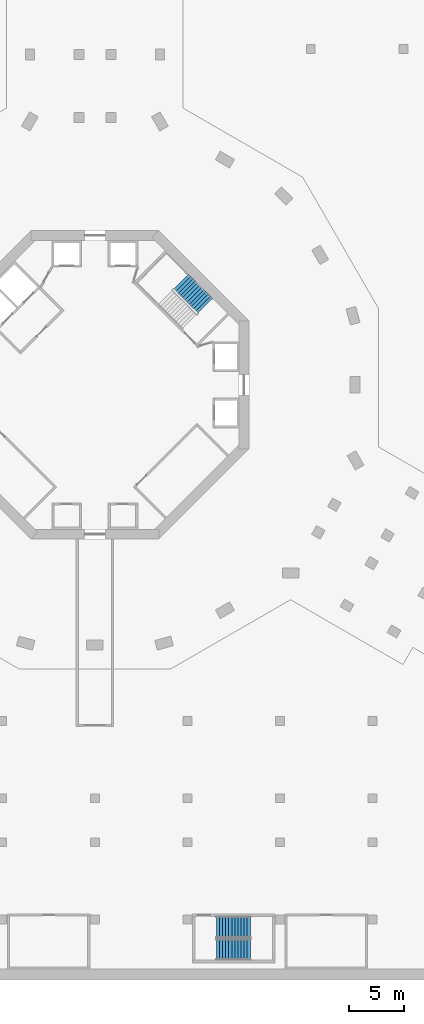
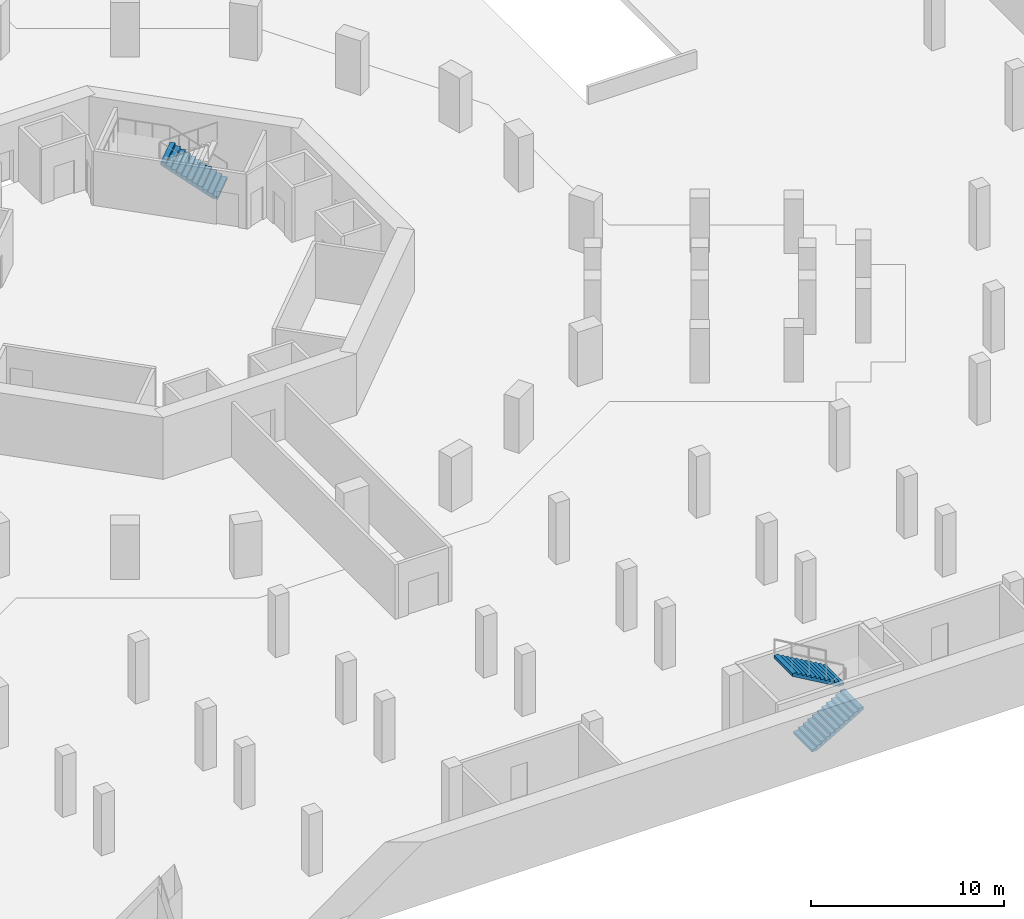
# One storey, part 14 of 25: 3 stair flights, 2 elements without a shape of their own.
"""IFC4 building model written with IfcOpenShell, lengths in metres."""

from ifc_helpers import new_model, si_unit, direction, frame, origin, place, context, subcontext, project, spatial, triangles, material, type_object, element, aggregate, save


model = new_model("IFC4")

# Units and contexts
model_context = context("Model", 3, precision=1e-05, world=origin(), true_north=direction((0.0, 1.0)))
body_context = subcontext(model_context, "Body", "Model", "MODEL_VIEW")
ifc_project = project(units=[si_unit("LENGTHUNIT", "METRE"), si_unit("AREAUNIT", "SQUARE_METRE"), si_unit("VOLUMEUNIT", "CUBIC_METRE"), si_unit("PLANEANGLEUNIT", "RADIAN"), si_unit("MASSUNIT", "GRAM", prefix="KILO")], contexts=[model_context])

# Site, building, storey
site_placement = place(None, origin())
site = spatial("IfcSite", under=ifc_project, at=site_placement, CompositionType="ELEMENT")
building_placement = place(site_placement, origin())
building = spatial("IfcBuilding", under=site, at=building_placement, Name="Verdalira Terraces Hotel", CompositionType="ELEMENT")
storey_placement = place(building_placement, frame((0.0, 0.0, -7.800049)))
storey = spatial("IfcBuildingStorey", under=building, at=storey_placement, Name="B2", CompositionType="ELEMENT", Elevation=-7.800048828125)

# Stair, stair flights
ifc_material_1 = material(Name="Concrete C40", Category="concrete")
stair_type_1 = type_object("IfcStairType", Name="Car park stair 24 risers", PredefinedType="HALF_TURN_STAIR", material=ifc_material_1)
stair_1_placement = place(storey_placement, origin())
stair_1 = element("IfcStair", 1, at=stair_1_placement, inside=storey, type_object=stair_type_1, Name="B2 Exit stair Basement stair 6", PredefinedType="HALF_TURN_STAIR")
ifc_material_2 = material(Name="Concrete C40", Category="concrete")
stair_flight_type_1 = type_object("IfcStairFlightType", Name="Car park stair flight 24 risers", PredefinedType="STRAIGHT", material=ifc_material_2)
stair_flight_1_placement = place(storey_placement, frame((11.024902, -51.237549, 0.0), z_axis=(0.0, 0.0, 1.0), x_axis=(1.0, 0.0, 0.0)))
stair_flight_1 = element("IfcStairFlight", 2, at=stair_flight_1_placement, type_object=stair_flight_type_1, Name="Basement stair 6 flight 1", NumberOfRisers=12, NumberOfTreads=11, PredefinedType="STRAIGHT", RiserHeight=0.1625, TreadLength=0.28, context=body_context, shape_type="Tessellation", body=[
    triangles([(0.0, 0.962524, 0.0), (0.298584, 0.962524, 0.0), (3.080078, 0.962524, 1.614258), (0.0, -0.962524, 0.0), (0.298584, -0.962524, 0.0), (3.080078, -0.962524, 1.614258), (3.080078, 0.962524, 1.787598), (2.800049, 0.962524, 1.787598), (3.080078, -0.962524, 1.787598), (2.800049, -0.962524, 1.787598), (2.800049, 0.962524, 1.625), (2.800049, -0.962524, 1.625), (2.52002, 0.962524, 1.625), (2.52002, -0.962524, 1.625), (2.52002, 0.962524, 1.462402), (2.52002, -0.962524, 1.462402), (2.23999, 0.962524, 1.462402), (2.23999, 0.962524, 1.300049), (2.23999, -0.962524, 1.462402), (2.23999, -0.962524, 1.300049), (1.959961, 0.962524, 1.300049), (1.959961, 0.962524, 1.137451), (1.959961, -0.962524, 1.300049), (1.959961, -0.962524, 1.137451), (1.679932, 0.962524, 1.137451), (1.679932, 0.962524, 0.975098), (1.679932, -0.962524, 1.137451), (1.679932, -0.962524, 0.975098), (1.399902, 0.962524, 0.975098), (1.399902, 0.962524, 0.8125), (1.399902, -0.962524, 0.975098), (1.399902, -0.962524, 0.8125), (1.120117, 0.962524, 0.8125), (1.120117, 0.962524, 0.649902), (1.120117, -0.962524, 0.8125), (1.120117, -0.962524, 0.649902), (0.840088, 0.962524, 0.649902), (0.840088, 0.962524, 0.487549), (0.840088, -0.962524, 0.649902), (0.840088, -0.962524, 0.487549), (0.560059, 0.962524, 0.487549), (0.560059, 0.962524, 0.324951), (0.560059, -0.962524, 0.487549), (0.560059, -0.962524, 0.324951), (0.280029, 0.962524, 0.324951), (0.280029, 0.962524, 0.162598), (0.280029, -0.962524, 0.324951), (0.280029, -0.962524, 0.162598), (0.0, 0.962524, 0.162598), (0.0, -0.962524, 0.162598), (0.0, -0.902367, 0.0), (0.0, -0.902367, 0.162598), (0.0, -0.842209, 0.0), (0.0, -0.842209, 0.162598), (0.0, -0.782051, 0.0), (0.0, -0.782051, 0.162598), (0.0, -0.721893, 0.0), (0.0, -0.721893, 0.162598), (0.0, -0.661736, 0.0), (0.0, -0.661736, 0.162598), (0.0, -0.601578, 0.0), (0.0, -0.601578, 0.162598), (0.0, -0.54142, 0.0), (0.0, -0.54142, 0.162598), (0.0, -0.481262, 0.0), (0.0, -0.481262, 0.162598), (0.0, -0.421104, 0.0), (0.0, -0.421104, 0.162598), (0.0, -0.360947, 0.0), (0.0, -0.360947, 0.162598), (0.0, -0.300789, 0.0), (0.0, -0.300789, 0.162598), (0.0, -0.240631, 0.0), (0.0, -0.240631, 0.162598), (0.0, -0.180473, 0.0), (0.0, -0.180473, 0.162598), (0.0, -0.120316, 0.0), (0.0, -0.120316, 0.162598), (0.0, -0.060158, 0.0), (0.0, -0.060158, 0.162598), (0.0, 0.0, 0.0), (0.0, 0.0, 0.162598), (0.0, 0.060158, 0.0), (0.0, 0.060158, 0.162598), (0.0, 0.120316, 0.0), (0.0, 0.120316, 0.162598), (0.0, 0.180473, 0.0), (0.0, 0.180473, 0.162598), (0.0, 0.240631, 0.0), (0.0, 0.240631, 0.162598), (0.0, 0.300789, 0.0), (0.0, 0.300789, 0.162598), (0.0, 0.360947, 0.0), (0.0, 0.360947, 0.162598), (0.0, 0.421104, 0.0), (0.0, 0.421104, 0.162598), (0.0, 0.481262, 0.0), (0.0, 0.481262, 0.162598), (0.0, 0.54142, 0.0), (0.0, 0.54142, 0.162598), (0.0, 0.601578, 0.0), (0.0, 0.601578, 0.162598), (0.0, 0.661736, 0.0), (0.0, 0.661736, 0.162598), (0.0, 0.721893, 0.0), (0.0, 0.721893, 0.162598), (0.0, 0.782051, 0.0), (0.0, 0.782051, 0.162598), (0.0, 0.842209, 0.0), (0.0, 0.842209, 0.162598), (0.0, 0.902367, 0.0), (0.0, 0.902367, 0.162598), (3.080078, -0.902367, 1.787598), (3.080078, -0.842209, 1.787598), (3.080078, -0.782051, 1.787598), (3.080078, -0.721893, 1.787598), (3.080078, -0.661736, 1.787598), (3.080078, -0.601578, 1.787598), (3.080078, -0.54142, 1.787598), (3.080078, -0.481262, 1.787598), (3.080078, -0.421104, 1.787598), (3.080078, -0.360947, 1.787598), (3.080078, -0.300789, 1.787598), (3.080078, -0.240631, 1.787598), (3.080078, -0.180473, 1.787598), (3.080078, -0.120316, 1.787598), (3.080078, -0.060158, 1.787598), (3.080078, 0.0, 1.787598), (3.080078, 0.060158, 1.787598), (3.080078, 0.120316, 1.787598), (3.080078, 0.180473, 1.787598), (3.080078, 0.240631, 1.787598), (3.080078, 0.300789, 1.787598), (3.080078, 0.360947, 1.787598), (3.080078, 0.421104, 1.787598), (3.080078, 0.481262, 1.787598), (3.080078, 0.54142, 1.787598), (3.080078, 0.601578, 1.787598), (3.080078, 0.661736, 1.787598), (3.080078, 0.721893, 1.787598), (3.080078, 0.782051, 1.787598), (3.080078, 0.842209, 1.787598), (3.080078, 0.902367, 1.787598), (3.080078, -0.902367, 1.614258), (3.080078, -0.842209, 1.614258), (3.080078, -0.782051, 1.614258), (3.080078, -0.721893, 1.614258), (3.080078, -0.661736, 1.614258), (3.080078, -0.601578, 1.614258), (3.080078, -0.54142, 1.614258), (3.080078, -0.481262, 1.614258), (3.080078, -0.421104, 1.614258), (3.080078, -0.360947, 1.614258), (3.080078, -0.300789, 1.614258), (3.080078, -0.240631, 1.614258), (3.080078, -0.180473, 1.614258), (3.080078, -0.120316, 1.614258), (3.080078, -0.060158, 1.614258), (3.080078, 0.0, 1.614258), (3.080078, 0.060158, 1.614258), (3.080078, 0.120316, 1.614258), (3.080078, 0.180473, 1.614258), (3.080078, 0.240631, 1.614258), (3.080078, 0.300789, 1.614258), (3.080078, 0.360947, 1.614258), (3.080078, 0.421104, 1.614258), (3.080078, 0.481262, 1.614258), (3.080078, 0.54142, 1.614258), (3.080078, 0.601578, 1.614258), (3.080078, 0.661736, 1.614258), (3.080078, 0.721893, 1.614258), (3.080078, 0.782051, 1.614258), (3.080078, 0.842209, 1.614258), (3.080078, 0.902367, 1.614258)], [[1, 3, 2], [4, 5, 6], [3, 8, 7], [6, 9, 10], [3, 11, 8], [6, 10, 12], [3, 13, 11], [6, 12, 14], [3, 15, 13], [6, 14, 16], [15, 18, 17], [16, 19, 20], [3, 18, 15], [6, 16, 20], [18, 22, 21], [20, 23, 24], [3, 22, 18], [6, 20, 24], [22, 26, 25], [24, 27, 28], [3, 26, 22], [6, 24, 28], [26, 30, 29], [28, 31, 32], [3, 30, 26], [6, 28, 32], [30, 34, 33], [32, 35, 36], [3, 34, 30], [6, 32, 36], [34, 38, 37], [36, 39, 40], [3, 38, 34], [6, 36, 40], [38, 42, 41], [40, 43, 44], [3, 42, 38], [6, 40, 44], [1, 42, 3], [4, 6, 44], [42, 46, 45], [44, 47, 48], [1, 46, 42], [4, 44, 48], [46, 1, 49], [48, 50, 4], [4, 52, 51], [4, 50, 52], [51, 54, 53], [51, 52, 54], [53, 56, 55], [53, 54, 56], [55, 58, 57], [55, 56, 58], [57, 60, 59], [57, 58, 60], [59, 62, 61], [59, 60, 62], [61, 64, 63], [61, 62, 64], [63, 66, 65], [63, 64, 66], [65, 68, 67], [65, 66, 68], [67, 70, 69], [67, 68, 70], [69, 72, 71], [69, 70, 72], [71, 74, 73], [71, 72, 74], [73, 76, 75], [73, 74, 76], [75, 78, 77], [75, 76, 78], [77, 80, 79], [77, 78, 80], [79, 82, 81], [79, 80, 82], [81, 84, 83], [81, 82, 84], [83, 86, 85], [83, 84, 86], [85, 88, 87], [85, 86, 88], [87, 90, 89], [87, 88, 90], [89, 92, 91], [89, 90, 92], [91, 94, 93], [91, 92, 94], [93, 96, 95], [93, 94, 96], [95, 98, 97], [95, 96, 98], [97, 100, 99], [97, 98, 100], [99, 102, 101], [99, 100, 102], [101, 104, 103], [101, 102, 104], [103, 106, 105], [103, 104, 106], [105, 108, 107], [105, 106, 108], [107, 110, 109], [107, 108, 110], [109, 112, 111], [109, 110, 112], [111, 49, 1], [111, 112, 49], [50, 48, 52], [52, 48, 54], [54, 48, 56], [56, 48, 58], [58, 48, 60], [60, 48, 62], [62, 48, 64], [64, 48, 66], [66, 48, 68], [68, 48, 70], [70, 48, 72], [72, 48, 74], [74, 48, 76], [76, 48, 78], [78, 48, 80], [80, 48, 82], [82, 48, 84], [84, 48, 86], [86, 48, 88], [88, 48, 90], [90, 48, 92], [92, 48, 94], [94, 48, 96], [96, 48, 98], [98, 48, 100], [100, 48, 102], [102, 48, 104], [104, 48, 106], [106, 48, 108], [108, 48, 110], [110, 48, 112], [112, 48, 49], [49, 48, 46], [48, 45, 46], [48, 47, 45], [47, 42, 45], [47, 44, 42], [44, 41, 42], [44, 43, 41], [43, 38, 41], [43, 40, 38], [40, 37, 38], [40, 39, 37], [39, 34, 37], [39, 36, 34], [36, 33, 34], [36, 35, 33], [35, 30, 33], [35, 32, 30], [32, 29, 30], [32, 31, 29], [31, 26, 29], [31, 28, 26], [28, 25, 26], [28, 27, 25], [27, 22, 25], [27, 24, 22], [24, 21, 22], [24, 23, 21], [23, 18, 21], [23, 20, 18], [20, 17, 18], [20, 19, 17], [19, 15, 17], [19, 16, 15], [16, 13, 15], [16, 14, 13], [14, 11, 13], [14, 12, 11], [12, 8, 11], [12, 10, 8], [9, 113, 10], [113, 114, 10], [114, 115, 10], [115, 116, 10], [116, 117, 10], [117, 118, 10], [118, 119, 10], [119, 120, 10], [120, 121, 10], [121, 122, 10], [122, 123, 10], [123, 124, 10], [124, 125, 10], [125, 126, 10], [126, 127, 10], [127, 128, 10], [128, 129, 10], [129, 130, 10], [130, 131, 10], [131, 132, 10], [132, 133, 10], [133, 134, 10], [134, 135, 10], [135, 136, 10], [136, 137, 10], [137, 138, 10], [138, 139, 10], [139, 140, 10], [140, 141, 10], [141, 142, 10], [142, 143, 10], [143, 7, 10], [7, 8, 10], [9, 144, 113], [9, 6, 144], [113, 145, 114], [113, 144, 145], [114, 146, 115], [114, 145, 146], [115, 147, 116], [115, 146, 147], [116, 148, 117], [116, 147, 148], [117, 149, 118], [117, 148, 149], [118, 150, 119], [118, 149, 150], [119, 151, 120], [119, 150, 151], [120, 152, 121], [120, 151, 152], [121, 153, 122], [121, 152, 153], [122, 154, 123], [122, 153, 154], [123, 155, 124], [123, 154, 155], [124, 156, 125], [124, 155, 156], [125, 157, 126], [125, 156, 157], [126, 158, 127], [126, 157, 158], [127, 159, 128], [127, 158, 159], [128, 160, 129], [128, 159, 160], [129, 161, 130], [129, 160, 161], [130, 162, 131], [130, 161, 162], [131, 163, 132], [131, 162, 163], [132, 164, 133], [132, 163, 164], [133, 165, 134], [133, 164, 165], [134, 166, 135], [134, 165, 166], [135, 167, 136], [135, 166, 167], [136, 168, 137], [136, 167, 168], [137, 169, 138], [137, 168, 169], [138, 170, 139], [138, 169, 170], [139, 171, 140], [139, 170, 171], [140, 172, 141], [140, 171, 172], [141, 173, 142], [141, 172, 173], [142, 174, 143], [142, 173, 174], [143, 3, 7], [143, 174, 3], [6, 5, 144], [144, 5, 145], [145, 5, 146], [146, 5, 147], [147, 5, 148], [148, 5, 149], [149, 5, 150], [150, 5, 151], [151, 5, 152], [152, 5, 153], [153, 5, 154], [154, 5, 155], [155, 5, 156], [156, 5, 157], [157, 5, 158], [158, 5, 159], [159, 5, 160], [160, 5, 161], [161, 5, 162], [162, 5, 163], [163, 5, 164], [164, 5, 165], [165, 5, 166], [166, 5, 167], [167, 5, 168], [168, 5, 169], [169, 5, 170], [170, 5, 171], [171, 5, 172], [172, 5, 173], [173, 5, 174], [174, 5, 3], [3, 5, 2], [4, 51, 5], [51, 53, 5], [53, 55, 5], [55, 57, 5], [57, 59, 5], [59, 61, 5], [61, 63, 5], [63, 65, 5], [65, 67, 5], [67, 69, 5], [69, 71, 5], [71, 73, 5], [73, 75, 5], [75, 77, 5], [77, 79, 5], [79, 81, 5], [81, 83, 5], [83, 85, 5], [85, 87, 5], [87, 89, 5], [89, 91, 5], [91, 93, 5], [93, 95, 5], [95, 97, 5], [97, 99, 5], [99, 101, 5], [101, 103, 5], [103, 105, 5], [105, 107, 5], [107, 109, 5], [109, 111, 5], [111, 1, 5], [1, 2, 5]], closed=True),
])
stair_flight_2_placement = place(storey_placement, frame((14.10498, -49.212402, 1.949951), z_axis=(0.0, 0.0, 1.0), x_axis=(-1.0, 0.0, 0.0)))
stair_flight_2 = element("IfcStairFlight", 3, at=stair_flight_2_placement, type_object=stair_flight_type_1, Name="Basement stair 6 flight 2", NumberOfRisers=12, NumberOfTreads=11, PredefinedType="STRAIGHT", RiserHeight=0.1625, TreadLength=0.28, context=body_context, shape_type="Tessellation", body=[
    triangles([(0.0, 0.962524, 0.0), (0.298584, 0.962524, 0.0), (3.080078, 0.962524, 1.614258), (0.0, -0.962524, 0.0), (0.298584, -0.962524, 0.0), (3.080078, -0.962524, 1.614258), (3.080078, 0.962524, 1.787598), (2.800049, 0.962524, 1.787598), (3.080078, -0.962524, 1.787598), (2.800049, -0.962524, 1.787598), (2.800049, 0.962524, 1.625), (2.800049, -0.962524, 1.625), (2.52002, 0.962524, 1.625), (2.52002, -0.962524, 1.625), (2.52002, 0.962524, 1.462402), (2.52002, -0.962524, 1.462402), (2.23999, 0.962524, 1.462402), (2.23999, 0.962524, 1.300049), (2.23999, -0.962524, 1.462402), (2.23999, -0.962524, 1.300049), (1.959961, 0.962524, 1.300049), (1.959961, 0.962524, 1.137451), (1.959961, -0.962524, 1.300049), (1.959961, -0.962524, 1.137451), (1.679932, 0.962524, 1.137451), (1.679932, 0.962524, 0.975098), (1.679932, -0.962524, 1.137451), (1.679932, -0.962524, 0.975098), (1.399902, 0.962524, 0.975098), (1.399902, 0.962524, 0.8125), (1.399902, -0.962524, 0.975098), (1.399902, -0.962524, 0.8125), (1.120117, 0.962524, 0.8125), (1.120117, 0.962524, 0.649902), (1.120117, -0.962524, 0.8125), (1.120117, -0.962524, 0.649902), (0.840088, 0.962524, 0.649902), (0.840088, 0.962524, 0.487549), (0.840088, -0.962524, 0.649902), (0.840088, -0.962524, 0.487549), (0.560059, 0.962524, 0.487549), (0.560059, 0.962524, 0.324951), (0.560059, -0.962524, 0.487549), (0.560059, -0.962524, 0.324951), (0.280029, 0.962524, 0.324951), (0.280029, 0.962524, 0.162598), (0.280029, -0.962524, 0.324951), (0.280029, -0.962524, 0.162598), (0.0, 0.962524, 0.162598), (0.0, -0.962524, 0.162598), (0.0, -0.902367, 0.0), (0.0, -0.902367, 0.162598), (0.0, -0.842209, 0.0), (0.0, -0.842209, 0.162598), (0.0, -0.782051, 0.0), (0.0, -0.782051, 0.162598), (0.0, -0.721893, 0.0), (0.0, -0.721893, 0.162598), (0.0, -0.661736, 0.0), (0.0, -0.661736, 0.162598), (0.0, -0.601578, 0.0), (0.0, -0.601578, 0.162598), (0.0, -0.54142, 0.0), (0.0, -0.54142, 0.162598), (0.0, -0.481262, 0.0), (0.0, -0.481262, 0.162598), (0.0, -0.421104, 0.0), (0.0, -0.421104, 0.162598), (0.0, -0.360947, 0.0), (0.0, -0.360947, 0.162598), (0.0, -0.300789, 0.0), (0.0, -0.300789, 0.162598), (0.0, -0.240631, 0.0), (0.0, -0.240631, 0.162598), (0.0, -0.180473, 0.0), (0.0, -0.180473, 0.162598), (0.0, -0.120316, 0.0), (0.0, -0.120316, 0.162598), (0.0, -0.060158, 0.0), (0.0, -0.060158, 0.162598), (0.0, 0.0, 0.0), (0.0, 0.0, 0.162598), (0.0, 0.060158, 0.0), (0.0, 0.060158, 0.162598), (0.0, 0.120316, 0.0), (0.0, 0.120316, 0.162598), (0.0, 0.180473, 0.0), (0.0, 0.180473, 0.162598), (0.0, 0.240631, 0.0), (0.0, 0.240631, 0.162598), (0.0, 0.300789, 0.0), (0.0, 0.300789, 0.162598), (0.0, 0.360947, 0.0), (0.0, 0.360947, 0.162598), (0.0, 0.421104, 0.0), (0.0, 0.421104, 0.162598), (0.0, 0.481262, 0.0), (0.0, 0.481262, 0.162598), (0.0, 0.54142, 0.0), (0.0, 0.54142, 0.162598), (0.0, 0.601578, 0.0), (0.0, 0.601578, 0.162598), (0.0, 0.661736, 0.0), (0.0, 0.661736, 0.162598), (0.0, 0.721893, 0.0), (0.0, 0.721893, 0.162598), (0.0, 0.782051, 0.0), (0.0, 0.782051, 0.162598), (0.0, 0.842209, 0.0), (0.0, 0.842209, 0.162598), (0.0, 0.902367, 0.0), (0.0, 0.902367, 0.162598), (3.080078, -0.902367, 1.787598), (3.080078, -0.842209, 1.787598), (3.080078, -0.782051, 1.787598), (3.080078, -0.721893, 1.787598), (3.080078, -0.661736, 1.787598), (3.080078, -0.601578, 1.787598), (3.080078, -0.54142, 1.787598), (3.080078, -0.481262, 1.787598), (3.080078, -0.421104, 1.787598), (3.080078, -0.360947, 1.787598), (3.080078, -0.300789, 1.787598), (3.080078, -0.240631, 1.787598), (3.080078, -0.180473, 1.787598), (3.080078, -0.120316, 1.787598), (3.080078, -0.060158, 1.787598), (3.080078, 0.0, 1.787598), (3.080078, 0.060158, 1.787598), (3.080078, 0.120316, 1.787598), (3.080078, 0.180473, 1.787598), (3.080078, 0.240631, 1.787598), (3.080078, 0.300789, 1.787598), (3.080078, 0.360947, 1.787598), (3.080078, 0.421104, 1.787598), (3.080078, 0.481262, 1.787598), (3.080078, 0.54142, 1.787598), (3.080078, 0.601578, 1.787598), (3.080078, 0.661736, 1.787598), (3.080078, 0.721893, 1.787598), (3.080078, 0.782051, 1.787598), (3.080078, 0.842209, 1.787598), (3.080078, 0.902367, 1.787598), (3.080078, -0.902367, 1.614258), (3.080078, -0.842209, 1.614258), (3.080078, -0.782051, 1.614258), (3.080078, -0.721893, 1.614258), (3.080078, -0.661736, 1.614258), (3.080078, -0.601578, 1.614258), (3.080078, -0.54142, 1.614258), (3.080078, -0.481262, 1.614258), (3.080078, -0.421104, 1.614258), (3.080078, -0.360947, 1.614258), (3.080078, -0.300789, 1.614258), (3.080078, -0.240631, 1.614258), (3.080078, -0.180473, 1.614258), (3.080078, -0.120316, 1.614258), (3.080078, -0.060158, 1.614258), (3.080078, 0.0, 1.614258), (3.080078, 0.060158, 1.614258), (3.080078, 0.120316, 1.614258), (3.080078, 0.180473, 1.614258), (3.080078, 0.240631, 1.614258), (3.080078, 0.300789, 1.614258), (3.080078, 0.360947, 1.614258), (3.080078, 0.421104, 1.614258), (3.080078, 0.481262, 1.614258), (3.080078, 0.54142, 1.614258), (3.080078, 0.601578, 1.614258), (3.080078, 0.661736, 1.614258), (3.080078, 0.721893, 1.614258), (3.080078, 0.782051, 1.614258), (3.080078, 0.842209, 1.614258), (3.080078, 0.902367, 1.614258)], [[1, 3, 2], [4, 5, 6], [3, 8, 7], [6, 9, 10], [3, 11, 8], [6, 10, 12], [3, 13, 11], [6, 12, 14], [3, 15, 13], [6, 14, 16], [15, 18, 17], [16, 19, 20], [3, 18, 15], [6, 16, 20], [18, 22, 21], [20, 23, 24], [3, 22, 18], [6, 20, 24], [22, 26, 25], [24, 27, 28], [3, 26, 22], [6, 24, 28], [26, 30, 29], [28, 31, 32], [3, 30, 26], [6, 28, 32], [30, 34, 33], [32, 35, 36], [3, 34, 30], [6, 32, 36], [34, 38, 37], [36, 39, 40], [3, 38, 34], [6, 36, 40], [38, 42, 41], [40, 43, 44], [3, 42, 38], [6, 40, 44], [1, 42, 3], [4, 6, 44], [42, 46, 45], [44, 47, 48], [1, 46, 42], [4, 44, 48], [46, 1, 49], [48, 50, 4], [4, 52, 51], [4, 50, 52], [51, 54, 53], [51, 52, 54], [53, 56, 55], [53, 54, 56], [55, 58, 57], [55, 56, 58], [57, 60, 59], [57, 58, 60], [59, 62, 61], [59, 60, 62], [61, 64, 63], [61, 62, 64], [63, 66, 65], [63, 64, 66], [65, 68, 67], [65, 66, 68], [67, 70, 69], [67, 68, 70], [69, 72, 71], [69, 70, 72], [71, 74, 73], [71, 72, 74], [73, 76, 75], [73, 74, 76], [75, 78, 77], [75, 76, 78], [77, 80, 79], [77, 78, 80], [79, 82, 81], [79, 80, 82], [81, 84, 83], [81, 82, 84], [83, 86, 85], [83, 84, 86], [85, 88, 87], [85, 86, 88], [87, 90, 89], [87, 88, 90], [89, 92, 91], [89, 90, 92], [91, 94, 93], [91, 92, 94], [93, 96, 95], [93, 94, 96], [95, 98, 97], [95, 96, 98], [97, 100, 99], [97, 98, 100], [99, 102, 101], [99, 100, 102], [101, 104, 103], [101, 102, 104], [103, 106, 105], [103, 104, 106], [105, 108, 107], [105, 106, 108], [107, 110, 109], [107, 108, 110], [109, 112, 111], [109, 110, 112], [111, 49, 1], [111, 112, 49], [50, 48, 52], [52, 48, 54], [54, 48, 56], [56, 48, 58], [58, 48, 60], [60, 48, 62], [62, 48, 64], [64, 48, 66], [66, 48, 68], [68, 48, 70], [70, 48, 72], [72, 48, 74], [74, 48, 76], [76, 48, 78], [78, 48, 80], [80, 48, 82], [82, 48, 84], [84, 48, 86], [86, 48, 88], [88, 48, 90], [90, 48, 92], [92, 48, 94], [94, 48, 96], [96, 48, 98], [98, 48, 100], [100, 48, 102], [102, 48, 104], [104, 48, 106], [106, 48, 108], [108, 48, 110], [110, 48, 112], [112, 48, 49], [49, 48, 46], [48, 45, 46], [48, 47, 45], [47, 42, 45], [47, 44, 42], [44, 41, 42], [44, 43, 41], [43, 38, 41], [43, 40, 38], [40, 37, 38], [40, 39, 37], [39, 34, 37], [39, 36, 34], [36, 33, 34], [36, 35, 33], [35, 30, 33], [35, 32, 30], [32, 29, 30], [32, 31, 29], [31, 26, 29], [31, 28, 26], [28, 25, 26], [28, 27, 25], [27, 22, 25], [27, 24, 22], [24, 21, 22], [24, 23, 21], [23, 18, 21], [23, 20, 18], [20, 17, 18], [20, 19, 17], [19, 15, 17], [19, 16, 15], [16, 13, 15], [16, 14, 13], [14, 11, 13], [14, 12, 11], [12, 8, 11], [12, 10, 8], [9, 113, 10], [113, 114, 10], [114, 115, 10], [115, 116, 10], [116, 117, 10], [117, 118, 10], [118, 119, 10], [119, 120, 10], [120, 121, 10], [121, 122, 10], [122, 123, 10], [123, 124, 10], [124, 125, 10], [125, 126, 10], [126, 127, 10], [127, 128, 10], [128, 129, 10], [129, 130, 10], [130, 131, 10], [131, 132, 10], [132, 133, 10], [133, 134, 10], [134, 135, 10], [135, 136, 10], [136, 137, 10], [137, 138, 10], [138, 139, 10], [139, 140, 10], [140, 141, 10], [141, 142, 10], [142, 143, 10], [143, 7, 10], [7, 8, 10], [9, 144, 113], [9, 6, 144], [113, 145, 114], [113, 144, 145], [114, 146, 115], [114, 145, 146], [115, 147, 116], [115, 146, 147], [116, 148, 117], [116, 147, 148], [117, 149, 118], [117, 148, 149], [118, 150, 119], [118, 149, 150], [119, 151, 120], [119, 150, 151], [120, 152, 121], [120, 151, 152], [121, 153, 122], [121, 152, 153], [122, 154, 123], [122, 153, 154], [123, 155, 124], [123, 154, 155], [124, 156, 125], [124, 155, 156], [125, 157, 126], [125, 156, 157], [126, 158, 127], [126, 157, 158], [127, 159, 128], [127, 158, 159], [128, 160, 129], [128, 159, 160], [129, 161, 130], [129, 160, 161], [130, 162, 131], [130, 161, 162], [131, 163, 132], [131, 162, 163], [132, 164, 133], [132, 163, 164], [133, 165, 134], [133, 164, 165], [134, 166, 135], [134, 165, 166], [135, 167, 136], [135, 166, 167], [136, 168, 137], [136, 167, 168], [137, 169, 138], [137, 168, 169], [138, 170, 139], [138, 169, 170], [139, 171, 140], [139, 170, 171], [140, 172, 141], [140, 171, 172], [141, 173, 142], [141, 172, 173], [142, 174, 143], [142, 173, 174], [143, 3, 7], [143, 174, 3], [6, 5, 144], [144, 5, 145], [145, 5, 146], [146, 5, 147], [147, 5, 148], [148, 5, 149], [149, 5, 150], [150, 5, 151], [151, 5, 152], [152, 5, 153], [153, 5, 154], [154, 5, 155], [155, 5, 156], [156, 5, 157], [157, 5, 158], [158, 5, 159], [159, 5, 160], [160, 5, 161], [161, 5, 162], [162, 5, 163], [163, 5, 164], [164, 5, 165], [165, 5, 166], [166, 5, 167], [167, 5, 168], [168, 5, 169], [169, 5, 170], [170, 5, 171], [171, 5, 172], [172, 5, 173], [173, 5, 174], [174, 5, 3], [3, 5, 2], [4, 51, 5], [51, 53, 5], [53, 55, 5], [55, 57, 5], [57, 59, 5], [59, 61, 5], [61, 63, 5], [63, 65, 5], [65, 67, 5], [67, 69, 5], [69, 71, 5], [71, 73, 5], [73, 75, 5], [75, 77, 5], [77, 79, 5], [79, 81, 5], [81, 83, 5], [83, 85, 5], [85, 87, 5], [87, 89, 5], [89, 91, 5], [91, 93, 5], [93, 95, 5], [95, 97, 5], [97, 99, 5], [99, 101, 5], [101, 103, 5], [103, 105, 5], [105, 107, 5], [107, 109, 5], [109, 111, 5], [111, 1, 5], [1, 2, 5]], closed=True),
])
aggregate(stair_1, [stair_flight_1, stair_flight_2])

# Stair, stair flight
ifc_material_3 = material(Name="Concrete C40", Category="concrete")
stair_type_2 = type_object("IfcStairType", Name="Core stair 24 risers 1900 mm wide", PredefinedType="HALF_TURN_STAIR", material=ifc_material_3)
stair_2_placement = place(storey_placement, origin())
stair_2 = element("IfcStair", 4, at=stair_2_placement, inside=storey, type_object=stair_type_2, Name="B2 Exit stair ST1", PredefinedType="HALF_TURN_STAIR")
ifc_material_4 = material(Name="Concrete C40", Category="concrete")
stair_flight_type_2 = type_object("IfcStairFlightType", Name="Core stair flight 24 risers 1900 mm wide", PredefinedType="STRAIGHT", material=ifc_material_4)
stair_flight_3_placement = place(storey_placement, frame((10.005615, 7.177246, 0.0), z_axis=(0.0, 0.0, 1.0), x_axis=(-0.707106781, 0.707106781, 0.0)))
stair_flight_3 = element("IfcStairFlight", 5, at=stair_flight_3_placement, type_object=stair_flight_type_2, Name="ST1 flight 1", NumberOfRisers=12, NumberOfTreads=11, PredefinedType="STRAIGHT", RiserHeight=0.1625, TreadLength=0.28, context=body_context, shape_type="Tessellation", body=[
    triangles([(0.0, 0.949951, 0.0), (0.298584, 0.949951, 0.0), (3.080078, 0.949951, 1.614258), (0.0, -0.949951, 0.0), (0.298584, -0.949951, 0.0), (3.080078, -0.949951, 1.614258), (3.080078, 0.949951, 1.787598), (2.800049, 0.949951, 1.787598), (3.080078, -0.949951, 1.787598), (2.800049, -0.949951, 1.787598), (2.800049, 0.949951, 1.625), (2.800049, -0.949951, 1.625), (2.52002, 0.949951, 1.625), (2.52002, -0.949951, 1.625), (2.52002, 0.949951, 1.462402), (2.52002, -0.949951, 1.462402), (2.23999, 0.949951, 1.462402), (2.23999, 0.949951, 1.300049), (2.23999, -0.949951, 1.462402), (2.23999, -0.949951, 1.300049), (1.959961, 0.949951, 1.300049), (1.959961, 0.949951, 1.137451), (1.959961, -0.949951, 1.300049), (1.959961, -0.949951, 1.137451), (1.679932, 0.949951, 1.137451), (1.679932, 0.949951, 0.975098), (1.679932, -0.949951, 1.137451), (1.679932, -0.949951, 0.975098), (1.399902, 0.949951, 0.975098), (1.399902, 0.949951, 0.8125), (1.399902, -0.949951, 0.975098), (1.399902, -0.949951, 0.8125), (1.120117, 0.949951, 0.8125), (1.120117, 0.949951, 0.649902), (1.120117, -0.949951, 0.8125), (1.120117, -0.949951, 0.649902), (0.840088, 0.949951, 0.649902), (0.840088, 0.949951, 0.487549), (0.840088, -0.949951, 0.649902), (0.840088, -0.949951, 0.487549), (0.560059, 0.949951, 0.487549), (0.560059, 0.949951, 0.324951), (0.560059, -0.949951, 0.487549), (0.560059, -0.949951, 0.324951), (0.280029, 0.949951, 0.324951), (0.280029, 0.949951, 0.162598), (0.280029, -0.949951, 0.324951), (0.280029, -0.949951, 0.162598), (0.0, 0.949951, 0.162598), (0.0, -0.949951, 0.162598), (0.0, -0.890579, 0.0), (0.0, -0.890579, 0.162598), (0.0, -0.831207, 0.0), (0.0, -0.831207, 0.162598), (0.0, -0.771835, 0.0), (0.0, -0.771835, 0.162598), (0.0, -0.712463, 0.0), (0.0, -0.712463, 0.162598), (0.0, -0.653091, 0.0), (0.0, -0.653091, 0.162598), (0.0, -0.593719, 0.0), (0.0, -0.593719, 0.162598), (0.0, -0.534348, 0.0), (0.0, -0.534348, 0.162598), (0.0, -0.474976, 0.0), (0.0, -0.474976, 0.162598), (0.0, -0.415604, 0.0), (0.0, -0.415604, 0.162598), (0.0, -0.356232, 0.0), (0.0, -0.356232, 0.162598), (0.0, -0.29686, 0.0), (0.0, -0.29686, 0.162598), (0.0, -0.237488, 0.0), (0.0, -0.237488, 0.162598), (0.0, -0.178116, 0.0), (0.0, -0.178116, 0.162598), (0.0, -0.118744, 0.0), (0.0, -0.118744, 0.162598), (0.0, -0.059372, 0.0), (0.0, -0.059372, 0.162598), (0.0, 0.0, 0.0), (0.0, 0.0, 0.162598), (0.0, 0.059372, 0.0), (0.0, 0.059372, 0.162598), (0.0, 0.118744, 0.0), (0.0, 0.118744, 0.162598), (0.0, 0.178116, 0.0), (0.0, 0.178116, 0.162598), (0.0, 0.237488, 0.0), (0.0, 0.237488, 0.162598), (0.0, 0.29686, 0.0), (0.0, 0.29686, 0.162598), (0.0, 0.356232, 0.0), (0.0, 0.356232, 0.162598), (0.0, 0.415604, 0.0), (0.0, 0.415604, 0.162598), (0.0, 0.474976, 0.0), (0.0, 0.474976, 0.162598), (0.0, 0.534348, 0.0), (0.0, 0.534348, 0.162598), (0.0, 0.593719, 0.0), (0.0, 0.593719, 0.162598), (0.0, 0.653091, 0.0), (0.0, 0.653091, 0.162598), (0.0, 0.712463, 0.0), (0.0, 0.712463, 0.162598), (0.0, 0.771835, 0.0), (0.0, 0.771835, 0.162598), (0.0, 0.831207, 0.0), (0.0, 0.831207, 0.162598), (0.0, 0.890579, 0.0), (0.0, 0.890579, 0.162598), (3.080078, -0.890579, 1.787598), (3.080078, -0.831207, 1.787598), (3.080078, -0.771835, 1.787598), (3.080078, -0.712463, 1.787598), (3.080078, -0.653091, 1.787598), (3.080078, -0.593719, 1.787598), (3.080078, -0.534348, 1.787598), (3.080078, -0.474976, 1.787598), (3.080078, -0.415604, 1.787598), (3.080078, -0.356232, 1.787598), (3.080078, -0.29686, 1.787598), (3.080078, -0.237488, 1.787598), (3.080078, -0.178116, 1.787598), (3.080078, -0.118744, 1.787598), (3.080078, -0.059372, 1.787598), (3.080078, 0.0, 1.787598), (3.080078, 0.059372, 1.787598), (3.080078, 0.118744, 1.787598), (3.080078, 0.178116, 1.787598), (3.080078, 0.237488, 1.787598), (3.080078, 0.29686, 1.787598), (3.080078, 0.356232, 1.787598), (3.080078, 0.415604, 1.787598), (3.080078, 0.474976, 1.787598), (3.080078, 0.534348, 1.787598), (3.080078, 0.593719, 1.787598), (3.080078, 0.653091, 1.787598), (3.080078, 0.712463, 1.787598), (3.080078, 0.771835, 1.787598), (3.080078, 0.831207, 1.787598), (3.080078, 0.890579, 1.787598), (3.080078, -0.890579, 1.614258), (3.080078, -0.831207, 1.614258), (3.080078, -0.771835, 1.614258), (3.080078, -0.712463, 1.614258), (3.080078, -0.653091, 1.614258), (3.080078, -0.593719, 1.614258), (3.080078, -0.534348, 1.614258), (3.080078, -0.474976, 1.614258), (3.080078, -0.415604, 1.614258), (3.080078, -0.356232, 1.614258), (3.080078, -0.29686, 1.614258), (3.080078, -0.237488, 1.614258), (3.080078, -0.178116, 1.614258), (3.080078, -0.118744, 1.614258), (3.080078, -0.059372, 1.614258), (3.080078, 0.0, 1.614258), (3.080078, 0.059372, 1.614258), (3.080078, 0.118744, 1.614258), (3.080078, 0.178116, 1.614258), (3.080078, 0.237488, 1.614258), (3.080078, 0.29686, 1.614258), (3.080078, 0.356232, 1.614258), (3.080078, 0.415604, 1.614258), (3.080078, 0.474976, 1.614258), (3.080078, 0.534348, 1.614258), (3.080078, 0.593719, 1.614258), (3.080078, 0.653091, 1.614258), (3.080078, 0.712463, 1.614258), (3.080078, 0.771835, 1.614258), (3.080078, 0.831207, 1.614258), (3.080078, 0.890579, 1.614258)], [[1, 3, 2], [4, 5, 6], [3, 8, 7], [6, 9, 10], [3, 11, 8], [6, 10, 12], [3, 13, 11], [6, 12, 14], [3, 15, 13], [6, 14, 16], [15, 18, 17], [16, 19, 20], [3, 18, 15], [6, 16, 20], [18, 22, 21], [20, 23, 24], [3, 22, 18], [6, 20, 24], [22, 26, 25], [24, 27, 28], [3, 26, 22], [6, 24, 28], [26, 30, 29], [28, 31, 32], [3, 30, 26], [6, 28, 32], [30, 34, 33], [32, 35, 36], [3, 34, 30], [6, 32, 36], [34, 38, 37], [36, 39, 40], [3, 38, 34], [6, 36, 40], [38, 42, 41], [40, 43, 44], [3, 42, 38], [6, 40, 44], [1, 42, 3], [4, 6, 44], [42, 46, 45], [44, 47, 48], [1, 46, 42], [4, 44, 48], [46, 1, 49], [48, 50, 4], [4, 52, 51], [4, 50, 52], [51, 54, 53], [51, 52, 54], [53, 56, 55], [53, 54, 56], [55, 58, 57], [55, 56, 58], [57, 60, 59], [57, 58, 60], [59, 62, 61], [59, 60, 62], [61, 64, 63], [61, 62, 64], [63, 66, 65], [63, 64, 66], [65, 68, 67], [65, 66, 68], [67, 70, 69], [67, 68, 70], [69, 72, 71], [69, 70, 72], [71, 74, 73], [71, 72, 74], [73, 76, 75], [73, 74, 76], [75, 78, 77], [75, 76, 78], [77, 80, 79], [77, 78, 80], [79, 82, 81], [79, 80, 82], [81, 84, 83], [81, 82, 84], [83, 86, 85], [83, 84, 86], [85, 88, 87], [85, 86, 88], [87, 90, 89], [87, 88, 90], [89, 92, 91], [89, 90, 92], [91, 94, 93], [91, 92, 94], [93, 96, 95], [93, 94, 96], [95, 98, 97], [95, 96, 98], [97, 100, 99], [97, 98, 100], [99, 102, 101], [99, 100, 102], [101, 104, 103], [101, 102, 104], [103, 106, 105], [103, 104, 106], [105, 108, 107], [105, 106, 108], [107, 110, 109], [107, 108, 110], [109, 112, 111], [109, 110, 112], [111, 49, 1], [111, 112, 49], [50, 48, 52], [52, 48, 54], [54, 48, 56], [56, 48, 58], [58, 48, 60], [60, 48, 62], [62, 48, 64], [64, 48, 66], [66, 48, 68], [68, 48, 70], [70, 48, 72], [72, 48, 74], [74, 48, 76], [76, 48, 78], [78, 48, 80], [80, 48, 82], [82, 48, 84], [84, 48, 86], [86, 48, 88], [88, 48, 90], [90, 48, 92], [92, 48, 94], [94, 48, 96], [96, 48, 98], [98, 48, 100], [100, 48, 102], [102, 48, 104], [104, 48, 106], [106, 48, 108], [108, 48, 110], [110, 48, 112], [112, 48, 49], [49, 48, 46], [48, 45, 46], [48, 47, 45], [47, 42, 45], [47, 44, 42], [44, 41, 42], [44, 43, 41], [43, 38, 41], [43, 40, 38], [40, 37, 38], [40, 39, 37], [39, 34, 37], [39, 36, 34], [36, 33, 34], [36, 35, 33], [35, 30, 33], [35, 32, 30], [32, 29, 30], [32, 31, 29], [31, 26, 29], [31, 28, 26], [28, 25, 26], [28, 27, 25], [27, 22, 25], [27, 24, 22], [24, 21, 22], [24, 23, 21], [23, 18, 21], [23, 20, 18], [20, 17, 18], [20, 19, 17], [19, 15, 17], [19, 16, 15], [16, 13, 15], [16, 14, 13], [14, 11, 13], [14, 12, 11], [12, 8, 11], [12, 10, 8], [9, 113, 10], [113, 114, 10], [114, 115, 10], [115, 116, 10], [116, 117, 10], [117, 118, 10], [118, 119, 10], [119, 120, 10], [120, 121, 10], [121, 122, 10], [122, 123, 10], [123, 124, 10], [124, 125, 10], [125, 126, 10], [126, 127, 10], [127, 128, 10], [128, 129, 10], [129, 130, 10], [130, 131, 10], [131, 132, 10], [132, 133, 10], [133, 134, 10], [134, 135, 10], [135, 136, 10], [136, 137, 10], [137, 138, 10], [138, 139, 10], [139, 140, 10], [140, 141, 10], [141, 142, 10], [142, 143, 10], [143, 7, 10], [7, 8, 10], [9, 144, 113], [9, 6, 144], [113, 145, 114], [113, 144, 145], [114, 146, 115], [114, 145, 146], [115, 147, 116], [115, 146, 147], [116, 148, 117], [116, 147, 148], [117, 149, 118], [117, 148, 149], [118, 150, 119], [118, 149, 150], [119, 151, 120], [119, 150, 151], [120, 152, 121], [120, 151, 152], [121, 153, 122], [121, 152, 153], [122, 154, 123], [122, 153, 154], [123, 155, 124], [123, 154, 155], [124, 156, 125], [124, 155, 156], [125, 157, 126], [125, 156, 157], [126, 158, 127], [126, 157, 158], [127, 159, 128], [127, 158, 159], [128, 160, 129], [128, 159, 160], [129, 161, 130], [129, 160, 161], [130, 162, 131], [130, 161, 162], [131, 163, 132], [131, 162, 163], [132, 164, 133], [132, 163, 164], [133, 165, 134], [133, 164, 165], [134, 166, 135], [134, 165, 166], [135, 167, 136], [135, 166, 167], [136, 168, 137], [136, 167, 168], [137, 169, 138], [137, 168, 169], [138, 170, 139], [138, 169, 170], [139, 171, 140], [139, 170, 171], [140, 172, 141], [140, 171, 172], [141, 173, 142], [141, 172, 173], [142, 174, 143], [142, 173, 174], [143, 3, 7], [143, 174, 3], [6, 5, 144], [144, 5, 145], [145, 5, 146], [146, 5, 147], [147, 5, 148], [148, 5, 149], [149, 5, 150], [150, 5, 151], [151, 5, 152], [152, 5, 153], [153, 5, 154], [154, 5, 155], [155, 5, 156], [156, 5, 157], [157, 5, 158], [158, 5, 159], [159, 5, 160], [160, 5, 161], [161, 5, 162], [162, 5, 163], [163, 5, 164], [164, 5, 165], [165, 5, 166], [166, 5, 167], [167, 5, 168], [168, 5, 169], [169, 5, 170], [170, 5, 171], [171, 5, 172], [172, 5, 173], [173, 5, 174], [174, 5, 3], [3, 5, 2], [4, 51, 5], [51, 53, 5], [53, 55, 5], [55, 57, 5], [57, 59, 5], [59, 61, 5], [61, 63, 5], [63, 65, 5], [65, 67, 5], [67, 69, 5], [69, 71, 5], [71, 73, 5], [73, 75, 5], [75, 77, 5], [77, 79, 5], [79, 81, 5], [81, 83, 5], [83, 85, 5], [85, 87, 5], [87, 89, 5], [89, 91, 5], [91, 93, 5], [93, 95, 5], [95, 97, 5], [97, 99, 5], [99, 101, 5], [101, 103, 5], [103, 105, 5], [105, 107, 5], [107, 109, 5], [109, 111, 5], [111, 1, 5], [1, 2, 5]], closed=True),
])
aggregate(stair_2, [stair_flight_3])

save(model, "model.ifc")
